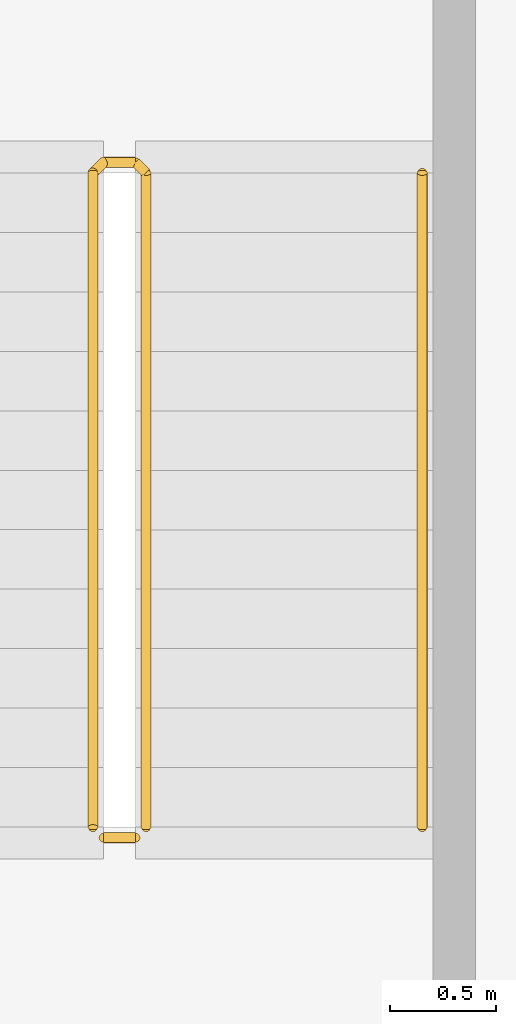
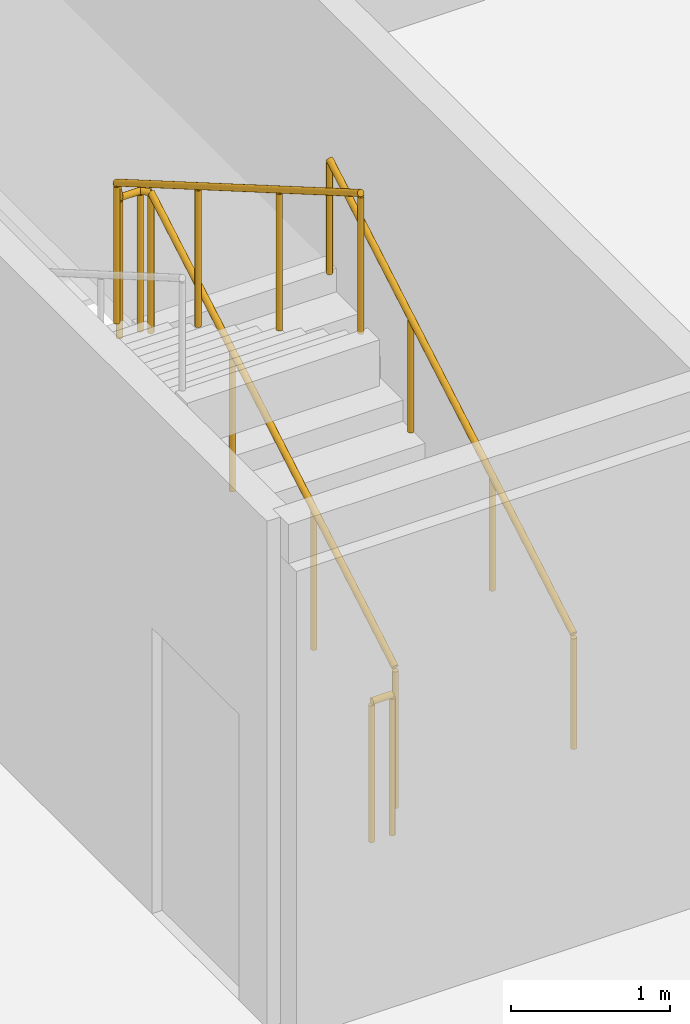
# One storey, part 27 of 28: 3 railings.
"""IFC4 building model written with IfcOpenShell, lengths in metres."""

from ifc_helpers import new_model, si_unit, direction, frame, origin, origin_2d, place, context, subcontext, project, spatial, circle, extrude, material, type_object, element, save


model = new_model("IFC4")

# Units and contexts
model_context = context("Model", 3, precision=1e-05, world=origin(), true_north=direction((0.0, 1.0)))
body_context = subcontext(model_context, "Body", "Model", "MODEL_VIEW")
ifc_project = project(units=[si_unit("LENGTHUNIT", "METRE"), si_unit("AREAUNIT", "SQUARE_METRE"), si_unit("VOLUMEUNIT", "CUBIC_METRE"), si_unit("PLANEANGLEUNIT", "RADIAN"), si_unit("MASSUNIT", "GRAM", prefix="KILO")], contexts=[model_context])

# Site, building, storey
site_placement = place(None, origin())
site = spatial("IfcSite", under=ifc_project, at=site_placement, CompositionType="ELEMENT")
building_placement = place(site_placement, origin())
building = spatial("IfcBuilding", under=site, at=building_placement, Name="Kheshtan School and Residences Tower", CompositionType="ELEMENT")
storey_placement = place(building_placement, frame((0.0, 0.0, 187.699951171875)))
storey = spatial("IfcBuildingStorey", under=building, at=storey_placement, Name="L44", CompositionType="ELEMENT", Elevation=187.699951171875)

# Railings
ifc_material_1 = material(Name="Stainless steel balustrade", Category="steel")
railing_type_1 = type_object("IfcRailingType", Name="Stair guard 1100", PredefinedType="GUARDRAIL", material=ifc_material_1)
railing_1_placement = place(storey_placement, frame((35.0, 80.89990234375, 0.16259765625)))
element("IfcRailing", 1, at=railing_1_placement, inside=storey, type_object=railing_type_1, Name="L44 ST3 stair guard 1", PredefinedType="GUARDRAIL", context=body_context, shape_type="SweptSolid", body=[
    extrude(circle(Radius=0.02392578125, at=origin_2d()), frame((0.0, 0.0, 1.076171875), z_axis=(0.0, 0.864920483161, 0.501908913857), x_axis=(-1.0, 0.0, 0.0)), (0.0, 0.0, 1.0), 3.56103515625),
    extrude(circle(Radius=0.02392578125, at=origin_2d()), frame((0.0, 3.080078125, 2.86328125), z_axis=(-0.707106781187, 0.707106781187, 0.0), x_axis=(-0.707106781187, -0.707106781187, 0.0)), (0.0, 0.0, 1.0), 0.07080078125),
    extrude(circle(Radius=0.02392578125, at=origin_2d()), frame((-0.050048828125, 3.130126953125, 2.86328125), z_axis=(-1.0, 0.0, 0.0), x_axis=(0.0, -1.0, 0.0)), (0.0, 0.0, 1.0), 0.14990234375),
    extrude(circle(Radius=0.02392578125, at=origin_2d()), frame((-0.199951171875, 3.130126953125, 2.86328125), z_axis=(-0.282227285176, -0.282227285176, 0.916894497205), x_axis=(0.707106781187, -0.707106781187, 0.0)), (0.0, 0.0, 1.0), 0.17724609375),
    extrude(circle(Radius=0.02392578125, at=origin_2d()), frame((-0.25, 3.080078125, 3.02587890625), z_axis=(0.0, -0.864890721111, 0.501960198159), x_axis=(1.0, 0.0, 0.0)), (0.0, 0.0, 1.0), 3.561279296875),
    extrude(circle(Radius=0.02099609375, at=origin_2d()), origin(), (0.0, 0.0, 1.0), 1.052001953125),
    extrude(circle(Radius=0.02099609375, at=origin_2d()), frame((0.0, 1.026611328125, 0.595703125)), (0.0, 0.0, 1.0), 1.052001953125),
    extrude(circle(Radius=0.02099609375, at=origin_2d()), frame((0.0, 2.053466796875, 1.191650390625)), (0.0, 0.0, 1.0), 1.052001953125),
    extrude(circle(Radius=0.02099609375, at=origin_2d()), frame((0.0, 3.080078125, 1.787353515625)), (0.0, 0.0, 1.0), 1.052001953125),
    extrude(circle(Radius=0.02099609375, at=origin_2d()), frame((-0.050048828125, 3.130126953125, 1.787353515625)), (0.0, 0.0, 1.0), 1.052001953125),
    extrude(circle(Radius=0.02099609375, at=origin_2d()), frame((-0.199951171875, 3.130126953125, 1.787353515625)), (0.0, 0.0, 1.0), 1.052001953125),
    extrude(circle(Radius=0.02099609375, at=origin_2d()), frame((-0.25, 3.080078125, 1.949951171875)), (0.0, 0.0, 1.0), 1.052001953125),
    extrude(circle(Radius=0.02099609375, at=origin_2d()), frame((-0.25, 2.053466796875, 2.5458984375)), (0.0, 0.0, 1.0), 1.052001953125),
    extrude(circle(Radius=0.02099609375, at=origin_2d()), frame((-0.25, 1.026611328125, 3.1416015625)), (0.0, 0.0, 1.0), 1.052001953125),
    extrude(circle(Radius=0.02099609375, at=origin_2d()), frame((-0.25, 0.0, 3.737548828125)), (0.0, 0.0, 1.0), 1.052001953125),
])
railing_2_placement = place(storey_placement, frame((34.949951171875, 80.85009765625, 0.0)))
element("IfcRailing", 2, at=railing_2_placement, inside=storey, type_object=railing_type_1, Name="L44 ST3 stair guard 2", PredefinedType="GUARDRAIL", context=body_context, shape_type="SweptSolid", body=[
    extrude(circle(Radius=0.02392578125, at=origin_2d()), frame((0.0, 0.0, 1.076171875), z_axis=(-1.0, 0.0, 0.0), x_axis=(0.0, -1.0, 0.0)), (0.0, 0.0, 1.0), 0.14990234375),
    extrude(circle(Radius=0.02099609375, at=origin_2d()), origin(), (0.0, 0.0, 1.0), 1.052001953125),
    extrude(circle(Radius=0.02099609375, at=origin_2d()), frame((-0.14990234375, 0.0, 0.0)), (0.0, 0.0, 1.0), 1.052001953125),
])
ifc_material_2 = material(Name="Stainless steel handrail", Category="steel")
railing_type_2 = type_object("IfcRailingType", Name="Stair handrail 900", PredefinedType="HANDRAIL", material=ifc_material_2)
railing_3_placement = place(storey_placement, frame((36.300048828125, 80.89990234375, 0.16259765625)))
element("IfcRailing", 3, at=railing_3_placement, inside=storey, type_object=railing_type_2, Name="L44 ST3 stair handrail 1", PredefinedType="HANDRAIL", context=body_context, shape_type="SweptSolid", body=[
    extrude(circle(Radius=0.02392578125, at=origin_2d()), frame((0.0, 0.0, 0.8759765625), z_axis=(0.0, 0.864920483161, 0.501908913857), x_axis=(-1.0, 0.0, 0.0)), (0.0, 0.0, 1.0), 3.56103515625),
    extrude(circle(Radius=0.02099609375, at=origin_2d()), origin(), (0.0, 0.0, 1.0), 0.851806640625),
    extrude(circle(Radius=0.02099609375, at=origin_2d()), frame((0.0, 1.026611328125, 0.595703125)), (0.0, 0.0, 1.0), 0.851806640625),
    extrude(circle(Radius=0.02099609375, at=origin_2d()), frame((0.0, 2.053466796875, 1.191650390625)), (0.0, 0.0, 1.0), 0.851806640625),
    extrude(circle(Radius=0.02099609375, at=origin_2d()), frame((0.0, 3.080078125, 1.787353515625)), (0.0, 0.0, 1.0), 0.851806640625),
])

save(model, "model.ifc")
